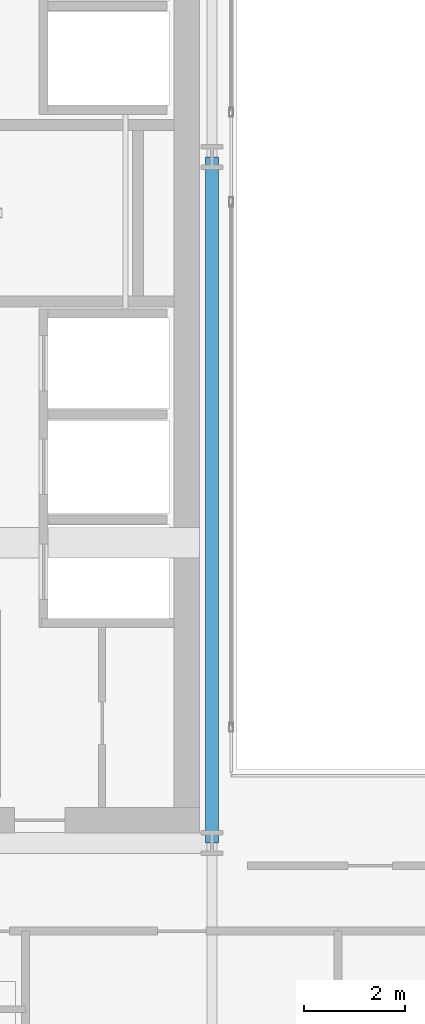
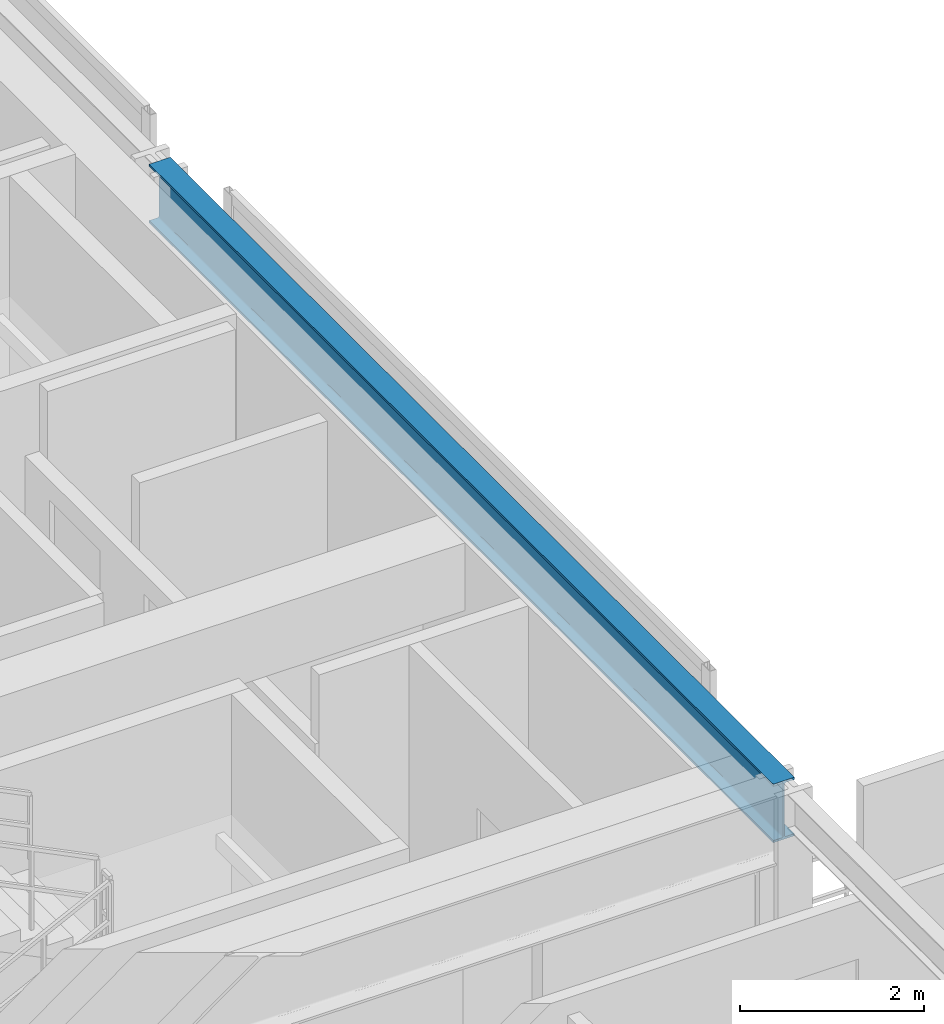
# One storey, part 6 of 37: 1 beam.
"""IFC4 building model written with IfcOpenShell, lengths in metres."""

from ifc_helpers import new_model, si_unit, direction, frame, origin, origin_2d, place, context, subcontext, project, spatial, i_section, extrude, source, transform, mapped, material, material_profile, profile_set, type_object, element, save


model = new_model("IFC4")

# Units and contexts
model_context = context("Model", 3, precision=1e-05, world=origin(), true_north=direction((0.0, 1.0)))
body_context = subcontext(model_context, "Body", "Model", "MODEL_VIEW")
ifc_project = project(units=[si_unit("LENGTHUNIT", "METRE"), si_unit("AREAUNIT", "SQUARE_METRE"), si_unit("VOLUMEUNIT", "CUBIC_METRE"), si_unit("PLANEANGLEUNIT", "RADIAN"), si_unit("MASSUNIT", "GRAM", prefix="KILO")], contexts=[model_context])

# Site, building, storey
site_placement = place(None, origin())
site = spatial("IfcSite", under=ifc_project, at=site_placement, CompositionType="ELEMENT")
building_placement = place(site_placement, origin())
building = spatial("IfcBuilding", under=site, at=building_placement, Name="Ocotamira Hotel", CompositionType="ELEMENT")
storey_placement = place(building_placement, frame((0.0, 0.0, 192.0)))
storey = spatial("IfcBuildingStorey", under=building, at=storey_placement, Name="L48", CompositionType="ELEMENT", Elevation=192.0)

# Beam
ifc_material = material(Name="Steel ASTM A992 Grade 50", Category="steel")
ifc_material_profile = material_profile(ifc_material, i_section(OverallWidth=0.26611328125, OverallDepth=0.779052734375, WebThickness=0.0166015625, FlangeThickness=0.030029296875, FilletRadius=0.01806640625, at=origin_2d()), Name="W30X148")
ifc_profile_set = profile_set([ifc_material_profile], Name="Steel ASTM A992 Grade 50")
beam_type = type_object("IfcBeamType", Name="BM-GIRD-W30X148", PredefinedType="BEAM", material=ifc_profile_set)
shared_shape = source(origin(), body_context, "Body", "SweptSolid", [
    extrude(i_section(OverallWidth=0.26611328125, OverallDepth=0.779052734375, WebThickness=0.0166015625, FlangeThickness=0.030029296875, FilletRadius=0.01806640625, at=origin_2d()), origin(), (0.0, 0.0, 1.0), 13.599853515625),
])
beam_placement = place(storey_placement, frame((23.5, 14.550048828125, 2.98046875), z_axis=(0.0, 1.0, 0.0), x_axis=(-1.0, 0.0, 0.0)))
element("IfcBeam", 1, at=beam_placement, inside=storey, type_object=beam_type, Name="L48 Beam X23.5 Y14.55-28.15", PredefinedType="BEAM", context=body_context, shape_type="MappedRepresentation", body=[
    mapped(shared_shape, transform((0.0, 0.0, 0.0), scale=1.0)),
])

save(model, "model.ifc")
